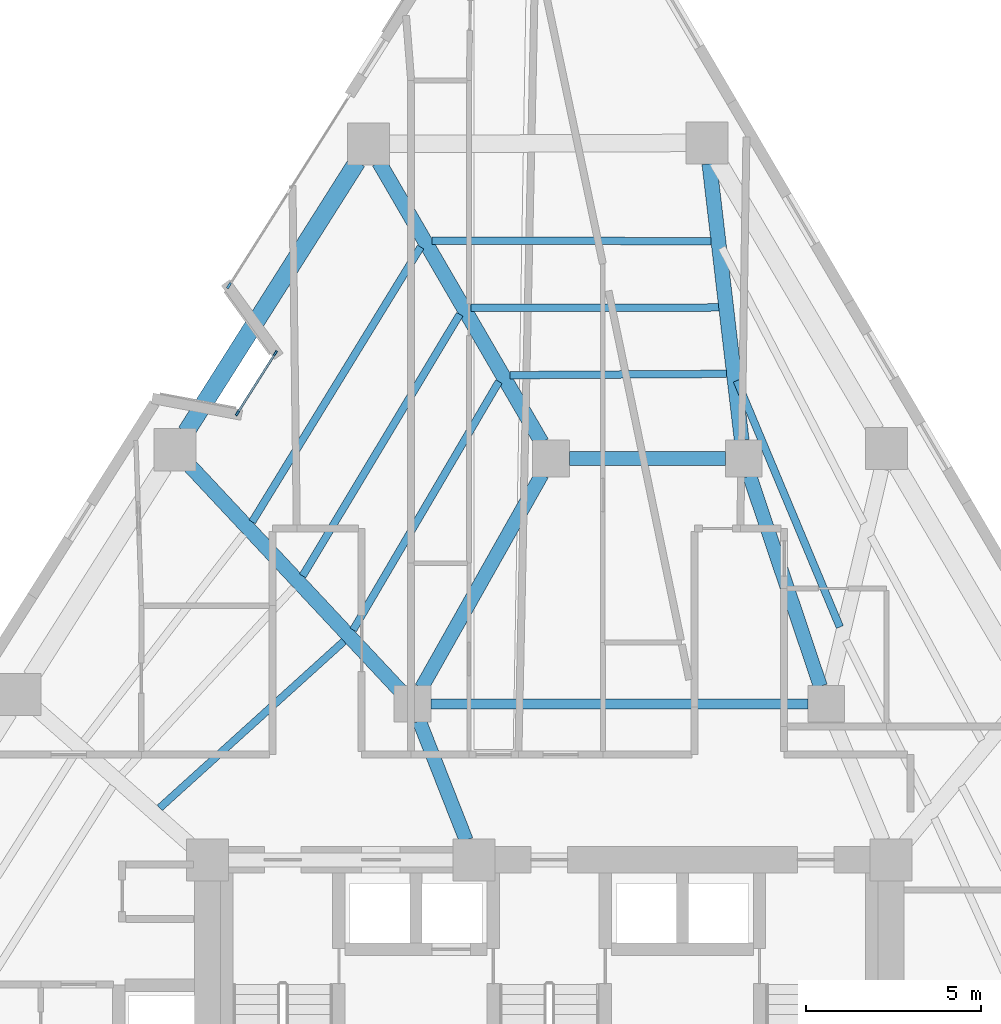
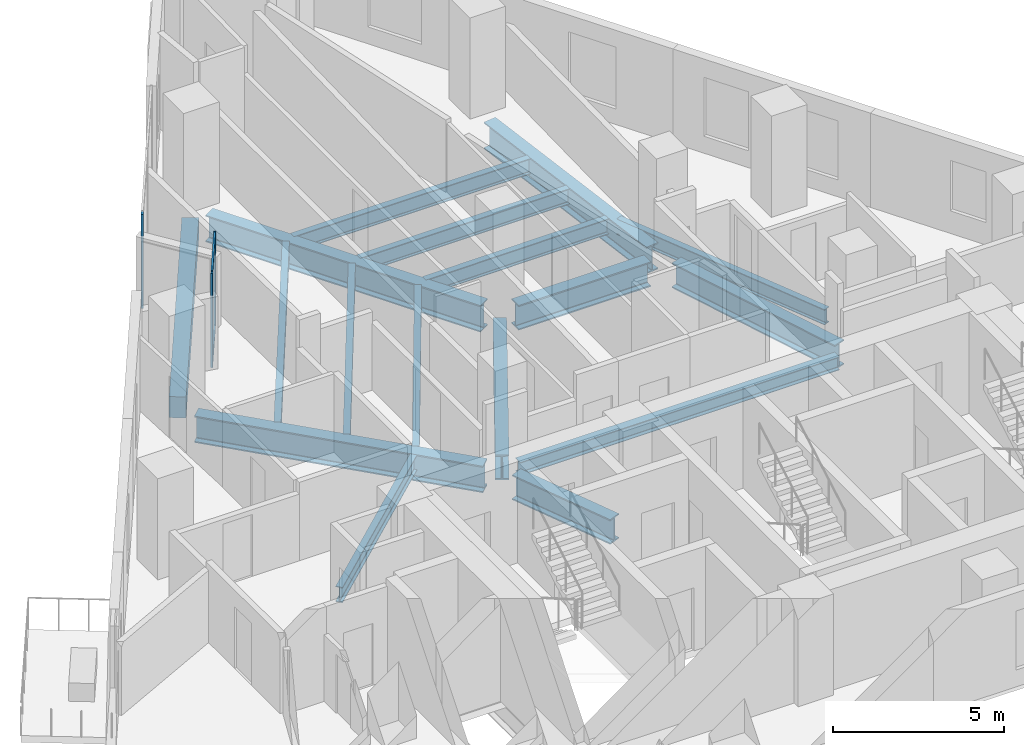
# One storey, part 3 of 12: 17 beams, 5 members, 2 elements without a shape of their own.
"""IFC4 building model written with IfcOpenShell, lengths in metres."""

import ifcopenshell
import ifcopenshell.guid

model = None  # the IFC model being written
_history = None  # IfcOwnerHistory: only IFC2X3 demands one
_inside = {}  # id of a spatial element -> (the spatial element, [elements in it])
_under = {}  # id of a project, library or spatial element -> (it, [spatial elements below it])
_declared = {}  # id of a project -> (the project, [libraries it declares])
_typed = {}  # id of a type object -> (the type object, [elements of that type])
_made_of = {}  # id of a material, layer set ... -> (it, [elements and type objects made of it])


def new_model(schema):
    """Start an empty IFC model of exactly this schema.

    Asked for "IFC4X3", IfcOpenShell would pick the latest addendum, in which some entities
    have other attributes; the version numbers below select the first issue.
    IFC2X3 requires an IfcOwnerHistory on every rooted entity: one is made here for all.
    """
    global model, _history
    if schema == "IFC4X3":
        model = ifcopenshell.file(schema_version=(4, 3, 0, 0))
    else:
        model = ifcopenshell.file(schema=schema)
    _inside.clear()
    _under.clear()
    _declared.clear()
    _typed.clear()
    _made_of.clear()
    _history = None
    if model.schema == "IFC2X3":
        org = make("IfcOrganization", Name="unknown")
        user = make(
            "IfcPersonAndOrganization",
            ThePerson=make("IfcPerson", FamilyName="unknown"),
            TheOrganization=org,
        )
        app = make(
            "IfcApplication",
            ApplicationDeveloper=org,
            Version="unknown",
            ApplicationFullName="unknown",
            ApplicationIdentifier="unknown",
        )
        _history = make(
            "IfcOwnerHistory",
            OwningUser=user,
            OwningApplication=app,
            ChangeAction="ADDED",
            CreationDate=0,
        )
    return model


def make(cls, **values):
    """One entity of the class cls with the attributes given. An attribute that is None is left unset."""
    return model.create_entity(
        cls, **{name: value for name, value in values.items() if value is not None}
    )


def rooted(cls, **values):
    """An entity with a GlobalId (a new one), such as an element, a storey or a relation."""
    return make(cls, GlobalId=ifcopenshell.guid.new(), OwnerHistory=_history, **values)


def si_unit(unit_type, name, prefix=None):
    """IfcSIUnit, for example si_unit("LENGTHUNIT", "METRE", prefix="MILLI")."""
    return make("IfcSIUnit", UnitType=unit_type, Prefix=prefix, Name=name)


def assignment(units):
    """IfcUnitAssignment: the units of a project."""
    return None if units is None else make("IfcUnitAssignment", Units=units)


def point(xyz):
    """IfcCartesianPoint."""
    return None if xyz is None else make("IfcCartesianPoint", Coordinates=xyz)


def direction(xyz):
    """IfcDirection."""
    return None if xyz is None else make("IfcDirection", DirectionRatios=xyz)


def frame(location, z_axis=None, x_axis=None):
    """IfcAxis2Placement3D, a coordinate frame: its origin and axes. An axis left out is left unset."""
    return make(
        "IfcAxis2Placement3D",
        Location=point(location),
        Axis=direction(z_axis),
        RefDirection=direction(x_axis),
    )


def frame_2d(location, x_axis=None):
    """IfcAxis2Placement2D, a coordinate frame in the plane: its origin and x axis."""
    return make(
        "IfcAxis2Placement2D", Location=point(location), RefDirection=direction(x_axis)
    )


def origin():
    """The frame at (0, 0, 0) with its axes left unset."""
    return frame((0.0, 0.0, 0.0))


def origin_2d():
    """The frame at (0, 0) in the plane with its x axis left unset."""
    return frame_2d((0.0, 0.0))


def place(relative_to, where):
    """IfcLocalPlacement: puts the frame where relative to a parent placement (None: the world)."""
    return make(
        "IfcLocalPlacement", PlacementRelTo=relative_to, RelativePlacement=where
    )


def context(
    kind, dimensions, precision=None, world=None, true_north=None, identifier=None
):
    """IfcGeometricRepresentationContext, for example the 3D "Model" context."""
    return make(
        "IfcGeometricRepresentationContext",
        ContextIdentifier=identifier,
        ContextType=kind,
        CoordinateSpaceDimension=dimensions,
        Precision=precision,
        WorldCoordinateSystem=world,
        TrueNorth=true_north,
    )


def subcontext(parent, identifier, kind, view, scale=None):
    """IfcGeometricRepresentationSubContext, for example "Body" below "Model"."""
    return make(
        "IfcGeometricRepresentationSubContext",
        ContextIdentifier=identifier,
        ContextType=kind,
        ParentContext=parent,
        TargetScale=scale,
        TargetView=view,
    )


def project(units=None, contexts=None):
    """IfcProject with its units and contexts."""
    return rooted(
        "IfcProject",
        Name="project",
        RepresentationContexts=contexts,
        UnitsInContext=assignment(units),
    )


def spatial(cls, under=None, at=None, **own):
    """A site, building, storey or space (cls), placed at a placement, below another one or the project."""
    s = rooted(cls, ObjectPlacement=at, **own)
    if under is not None:
        _under.setdefault(under.id(), (under, []))[1].append(s)
    return s


def profile(cls, at=None, kind="AREA", **sizes):
    """A parametric profile (cls). Its sizes go by their IFC names, for example OverallWidth=200.0."""
    return make(cls, ProfileType=kind, Position=at, **sizes)


def rectangle(**sizes):
    """IfcRectangleProfileDef."""
    return profile("IfcRectangleProfileDef", **sizes)


def i_section(**sizes):
    """IfcIShapeProfileDef."""
    return profile("IfcIShapeProfileDef", **sizes)


def extrude(swept, where, along, depth):
    """IfcExtrudedAreaSolid: the profile swept, set in the frame where, extruded along a direction by depth."""
    return make(
        "IfcExtrudedAreaSolid",
        SweptArea=swept,
        Position=where,
        ExtrudedDirection=direction(along),
        Depth=depth,
    )


def shape(context_of_items, identifier, shape_type, items):
    """IfcShapeRepresentation: the items that make up one representation, for example the "Body"."""
    return make(
        "IfcShapeRepresentation",
        ContextOfItems=context_of_items,
        RepresentationIdentifier=identifier,
        RepresentationType=shape_type,
        Items=items,
    )


def material(Name=None, Category=None):
    """IfcMaterial."""
    return make("IfcMaterial", Name=Name, Category=Category)


def layer(
    of_material, thickness, ventilated=None, Name=None, Category=None, Priority=None
):
    """IfcMaterialLayer: one layer of a wall or slab, of a material (None: an air gap)."""
    return make(
        "IfcMaterialLayer",
        Material=of_material,
        LayerThickness=thickness,
        IsVentilated=ventilated,
        Name=Name,
        Category=Category,
        Priority=Priority,
    )


def layer_set(layers, Name=None):
    """IfcMaterialLayerSet."""
    return make("IfcMaterialLayerSet", MaterialLayers=layers, LayerSetName=Name)


def material_profile(
    of_material, cross_section, Name=None, Category=None, Priority=None
):
    """IfcMaterialProfile: a cross section and its material."""
    return make(
        "IfcMaterialProfile",
        Name=Name,
        Material=of_material,
        Profile=cross_section,
        Priority=Priority,
        Category=Category,
    )


def profile_set(profiles, Name=None, composite=None):
    """IfcMaterialProfileSet."""
    return make(
        "IfcMaterialProfileSet",
        Name=Name,
        MaterialProfiles=profiles,
        CompositeProfile=composite,
    )


def made_of(thing, what):
    """Note that an element or type object is made of a material, layer set ...; save() writes the relation."""
    if what is not None:
        _made_of.setdefault(what.id(), (what, []))[1].append(thing)
    return thing


def type_object(cls, material=None, **own):
    """A type object (cls), such as IfcWallType, which elements share."""
    return made_of(rooted(cls, **own), material)


def element(
    cls,
    number,
    at=None,
    inside=None,
    cuts=None,
    type_object=None,
    material=None,
    context=None,
    identifier="Body",
    shape_type=None,
    held_by="IfcProductDefinitionShape",
    body=None,
    shapes=None,
    **own,
):
    """One element of the class cls, such as IfcWall. Its Tag is "e" and its number.

    at: its placement. inside: the storey or other place that contains it. cuts: it is an
    opening in that element (IfcRelVoidsElement). A single representation is given by context,
    identifier, shape_type and body (its items); several are given by shapes. held_by: the class
    of the entity that holds the representations. save() writes the other relations.
    """
    e = rooted(cls, Tag="e%d" % number, ObjectPlacement=at, **own)
    if body is not None:
        shapes = [shape(context, identifier, shape_type, body)]
    if shapes is not None:
        e.Representation = make(held_by, Representations=shapes)
    if inside is not None:
        _inside.setdefault(inside.id(), (inside, []))[1].append(e)
    if cuts is not None:
        rooted(
            "IfcRelVoidsElement", RelatingBuildingElement=cuts, RelatedOpeningElement=e
        )
    if type_object is not None:
        _typed.setdefault(type_object.id(), (type_object, []))[1].append(e)
    return made_of(e, material)


def aggregate(whole, parts):
    """IfcRelAggregates: a whole, such as a stair, and the parts it consists of."""
    return rooted("IfcRelAggregates", RelatingObject=whole, RelatedObjects=parts)


def save(model, path):
    """Write the relations noted so far, then the file.

    IfcRelAggregates (storeys below a building ...), IfcRelContainedInSpatialStructure (elements
    in a storey), IfcRelDefinesByType, IfcRelAssociatesMaterial and IfcRelDeclares: one each for
    every whole, place, type object, material and project.
    """
    for whole, parts in _under.values():
        aggregate(whole, parts)
    for where, things in _inside.values():
        rooted(
            "IfcRelContainedInSpatialStructure",
            RelatedElements=things,
            RelatingStructure=where,
        )
    for kind, things in _typed.values():
        rooted("IfcRelDefinesByType", RelatedObjects=things, RelatingType=kind)
    for what, things in _made_of.values():
        rooted("IfcRelAssociatesMaterial", RelatedObjects=things, RelatingMaterial=what)
    for by, libraries in _declared.values():
        rooted("IfcRelDeclares", RelatingContext=by, RelatedDefinitions=libraries)
    model.write(path)


model = new_model("IFC4")

# Units and contexts
model_context = context("Model", 3, precision=1e-05, world=origin(), true_north=direction((0.0, 1.0)))
body_context = subcontext(model_context, "Body", "Model", "MODEL_VIEW")
ifc_project = project(units=[si_unit("LENGTHUNIT", "METRE"), si_unit("AREAUNIT", "SQUARE_METRE"), si_unit("VOLUMEUNIT", "CUBIC_METRE"), si_unit("PLANEANGLEUNIT", "RADIAN"), si_unit("MASSUNIT", "GRAM", prefix="KILO")], contexts=[model_context])

# Site, building, storey
site_placement = place(None, origin())
site = spatial("IfcSite", under=ifc_project, at=site_placement, CompositionType="ELEMENT")
building_placement = place(site_placement, origin())
building = spatial("IfcBuilding", under=site, at=building_placement, Name="Almagre Mirador Tower", CompositionType="ELEMENT")
storey_placement = place(building_placement, frame((0.0, 0.0, 121.199951171875)))
storey = spatial("IfcBuildingStorey", under=building, at=storey_placement, Name="L30", CompositionType="ELEMENT", Elevation=121.199951171875)

# Beams
ifc_material_1 = material(Name="Steel ASTM A992 Grade 50", Category="steel")
ifc_material_profile_1 = material_profile(ifc_material_1, i_section(OverallWidth=0.281982421875, OverallDepth=0.467041015625, WebThickness=0.01220703125, FlangeThickness=0.01953125, FilletRadius=0.01611328125, at=origin_2d()), Name="W18X86")
ifc_profile_set_1 = profile_set([ifc_material_profile_1], Name="Steel ASTM A992 Grade 50")
beam_type_1 = type_object("IfcBeamType", Name="BM-BAL-W18X86", PredefinedType="JOIST", material=ifc_profile_set_1)
beam_1_placement = place(storey_placement, frame((33.925048828125, 19.199951171875, -0.4833984375), z_axis=(1.0, 0.0, 0.0), x_axis=(0.0, 1.0, 0.0)))
element("IfcBeam", 1, at=beam_1_placement, inside=storey, type_object=beam_type_1, Name="L30 secondary header beam BB-01", PredefinedType="JOIST", context=body_context, shape_type="SweptSolid", body=[
    extrude(i_section(OverallWidth=0.281982421875, OverallDepth=0.467041015625, WebThickness=0.01220703125, FlangeThickness=0.01953125, FilletRadius=0.01611328125, at=origin_2d()), origin(), (0.0, 0.0, 1.0), 10.75),
])
ifc_material_2 = material(Name="Steel ASTM A992 Grade 50", Category="steel")
ifc_material_profile_2 = material_profile(ifc_material_2, i_section(OverallWidth=0.214111328125, OverallDepth=0.549072265625, WebThickness=0.0146484375, FlangeThickness=0.023681640625, FilletRadius=0.01806640625, at=origin_2d()), Name="W21X93")
ifc_profile_set_2 = profile_set([ifc_material_profile_2], Name="Steel ASTM A992 Grade 50")
beam_type_2 = type_object("IfcBeamType", Name="BM-JST-W21X93", PredefinedType="JOIST", material=ifc_profile_set_2)
beam_2_placement = place(storey_placement, frame((45.589111328125, 21.390380859375, -0.5244140625), z_axis=(-0.385893914422, 0.922543162574, 0.0), x_axis=(-0.922543162574, -0.385893914422, 0.0)))
element("IfcBeam", 2, at=beam_2_placement, inside=storey, type_object=beam_type_2, Name="L30 secondary floor joist PC07-PC08.3", PredefinedType="JOIST", context=body_context, shape_type="SweptSolid", body=[
    extrude(i_section(OverallWidth=0.214111328125, OverallDepth=0.549072265625, WebThickness=0.0146484375, FlangeThickness=0.023681640625, FilletRadius=0.01806640625, at=origin_2d()), origin(), (0.0, 0.0, 1.0), 7.617919921875),
])
beam_3_placement = place(storey_placement, frame((41.913330078125, 32.397216796875, -0.5244140625), z_axis=(-0.999998960599, 0.001441804747, 0.0), x_axis=(-0.001441804747, -0.999998960599, 0.0)))
element("IfcBeam", 3, at=beam_3_placement, inside=storey, type_object=beam_type_2, Name="L30 secondary floor joist PC08-PC09.1", PredefinedType="JOIST", context=body_context, shape_type="SweptSolid", body=[
    extrude(i_section(OverallWidth=0.214111328125, OverallDepth=0.549072265625, WebThickness=0.0146484375, FlangeThickness=0.023681640625, FilletRadius=0.01806640625, at=origin_2d()), origin(), (0.0, 0.0, 1.0), 7.95849609375),
])
beam_4_placement = place(storey_placement, frame((42.134765625, 30.504638671875, -0.5244140625), z_axis=(-0.99999819421, -0.00190041466, 0.0), x_axis=(0.00190041466, -0.99999819421, 0.0)))
element("IfcBeam", 4, at=beam_4_placement, inside=storey, type_object=beam_type_2, Name="L30 secondary floor joist PC08-PC09.2", PredefinedType="JOIST", context=body_context, shape_type="SweptSolid", body=[
    extrude(i_section(OverallWidth=0.214111328125, OverallDepth=0.549072265625, WebThickness=0.0146484375, FlangeThickness=0.023681640625, FilletRadius=0.01806640625, at=origin_2d()), origin(), (0.0, 0.0, 1.0), 7.065673828125),
])
beam_5_placement = place(storey_placement, frame((42.356201171875, 28.61181640625, -0.5244140625), z_axis=(-0.999980965144, -0.00617003641, 0.0), x_axis=(0.00617003641, -0.999980965144, 0.0)))
element("IfcBeam", 5, at=beam_5_placement, inside=storey, type_object=beam_type_2, Name="L30 secondary floor joist PC08-PC09.3", PredefinedType="JOIST", context=body_context, shape_type="SweptSolid", body=[
    extrude(i_section(OverallWidth=0.214111328125, OverallDepth=0.549072265625, WebThickness=0.0146484375, FlangeThickness=0.023681640625, FilletRadius=0.01806640625, at=origin_2d()), origin(), (0.0, 0.0, 1.0), 6.172607421875),
])
beam_6_placement = place(storey_placement, frame((33.6328125, 32.228759765625, -0.5244140625), z_axis=(-0.522787398252, -0.852463099629, 0.0), x_axis=(0.852463099629, -0.522787398252, 0.0)))
element("IfcBeam", 6, at=beam_6_placement, inside=storey, type_object=beam_type_2, Name="L30 secondary floor joist PC09-PC10.1", PredefinedType="JOIST", context=body_context, shape_type="SweptSolid", body=[
    extrude(i_section(OverallWidth=0.214111328125, OverallDepth=0.549072265625, WebThickness=0.0146484375, FlangeThickness=0.023681640625, FilletRadius=0.01806640625, at=origin_2d()), origin(), (0.0, 0.0, 1.0), 9.196044921875),
])
beam_7_placement = place(storey_placement, frame((34.748779296875, 30.309326171875, -0.5244140625), z_axis=(-0.515031881697, -0.857171021929, 0.0), x_axis=(0.857171021929, -0.515031881697, 0.0)))
element("IfcBeam", 7, at=beam_7_placement, inside=storey, type_object=beam_type_2, Name="L30 secondary floor joist PC09-PC10.2", PredefinedType="JOIST", context=body_context, shape_type="SweptSolid", body=[
    extrude(i_section(OverallWidth=0.214111328125, OverallDepth=0.549072265625, WebThickness=0.0146484375, FlangeThickness=0.023681640625, FilletRadius=0.01806640625, at=origin_2d()), origin(), (0.0, 0.0, 1.0), 8.7041015625),
])
beam_8_placement = place(storey_placement, frame((35.864990234375, 28.389892578125, -0.5244140625), z_axis=(-0.506354843964, -0.862325212431, 0.0), x_axis=(0.862325212431, -0.506354843964, 0.0)))
element("IfcBeam", 8, at=beam_8_placement, inside=storey, type_object=beam_type_2, Name="L30 secondary floor joist PC09-PC10.3", PredefinedType="JOIST", context=body_context, shape_type="SweptSolid", body=[
    extrude(i_section(OverallWidth=0.214111328125, OverallDepth=0.549072265625, WebThickness=0.0146484375, FlangeThickness=0.023681640625, FilletRadius=0.01806640625, at=origin_2d()), origin(), (0.0, 0.0, 1.0), 8.212890625),
])
beam_9_placement = place(storey_placement, frame((31.4423828125, 20.9833984375, -0.5244140625), z_axis=(-0.74150556393, -0.670946718199, 0.0), x_axis=(0.670946718199, -0.74150556393, 0.0)))
element("IfcBeam", 9, at=beam_9_placement, inside=storey, type_object=beam_type_2, Name="L30 secondary floor joist PC10-PC11.3", PredefinedType="JOIST", context=body_context, shape_type="SweptSolid", body=[
    extrude(i_section(OverallWidth=0.214111328125, OverallDepth=0.549072265625, WebThickness=0.0146484375, FlangeThickness=0.023681640625, FilletRadius=0.01806640625, at=origin_2d()), origin(), (0.0, 0.0, 1.0), 7.082763671875),
])
ifc_material_3 = material(Name="Precast concrete C50/60", Category="concrete")
ifc_material_profile_3 = material_profile(ifc_material_3, rectangle(XDim=0.5, YDim=0.75, at=origin_2d()), Name="RC500X750")
ifc_profile_set_3 = profile_set([ifc_material_profile_3], Name="Precast concrete C50/60")
beam_type_3 = type_object("IfcBeamType", Name="BM-SPN-RC500X750", PredefinedType="SPANDREL", material=ifc_profile_set_3)
beam_10_placement = place(storey_placement, frame((31.821044921875, 34.658935546875, -0.625), z_axis=(-0.534869929659, -0.844934410677, 0.0), x_axis=(0.844934410677, -0.534869929659, 0.0)))
element("IfcBeam", 10, at=beam_10_placement, inside=storey, type_object=beam_type_3, Name="L30 perimeter spandrel beam PC09-PC10", PredefinedType="SPANDREL", context=body_context, shape_type="SweptSolid", body=[
    extrude(rectangle(XDim=0.5, YDim=0.75, at=origin_2d()), origin(), (0.0, 0.0, 1.0), 9.120361328125),
])
ifc_material_4 = material(Name="Steel ASTM A992 Grade 50", Category="steel")
ifc_material_profile_4 = material_profile(ifc_material_4, i_section(OverallWidth=0.404052734375, OverallDepth=0.884033203125, WebThickness=0.0244140625, FlangeThickness=0.0439453125, FilletRadius=0.02490234375, at=origin_2d()), Name="W33X291")
ifc_profile_set_4 = profile_set([ifc_material_profile_4], Name="Steel ASTM A992 Grade 50")
beam_type_4 = type_object("IfcBeamType", Name="BM-STL-W33X291", PredefinedType="BEAM", material=ifc_profile_set_4)
beam_11_placement = place(storey_placement, frame((37.875, 26.199951171875, -0.69189453125), z_axis=(1.0, 0.0, 0.0), x_axis=(0.0, 1.0, 0.0)))
element("IfcBeam", 11, at=beam_11_placement, inside=storey, type_object=beam_type_4, Name="L30 core tie girder MC7-MC6", PredefinedType="BEAM", context=body_context, shape_type="SweptSolid", body=[
    extrude(i_section(OverallWidth=0.404052734375, OverallDepth=0.884033203125, WebThickness=0.0244140625, FlangeThickness=0.0439453125, FilletRadius=0.02490234375, at=origin_2d()), origin(), (0.0, 0.0, 1.0), 4.449951171875),
])
beam_12_placement = place(storey_placement, frame((43.01708984375, 25.702392578125, -0.69189453125), z_axis=(0.318262189587, -0.948002731367, 0.0), x_axis=(0.948002731367, 0.318262189587, 0.0)))
element("IfcBeam", 12, at=beam_12_placement, inside=storey, type_object=beam_type_4, Name="L30 core tie girder MC6-MC5", PredefinedType="BEAM", context=body_context, shape_type="SweptSolid", body=[
    extrude(i_section(OverallWidth=0.404052734375, OverallDepth=0.884033203125, WebThickness=0.0244140625, FlangeThickness=0.0439453125, FilletRadius=0.02490234375, at=origin_2d()), origin(), (0.0, 0.0, 1.0), 6.333984375),
])
beam_13_placement = place(storey_placement, frame((37.092041015625, 25.742919921875, -0.69189453125), z_axis=(-0.491443510044, -0.870909453638, 0.0), x_axis=(0.870909453638, -0.491443510044, 0.0)))
element("IfcBeam", 13, at=beam_13_placement, inside=storey, type_object=beam_type_4, Name="L30 core tie girder MC7-MC8", PredefinedType="BEAM", context=body_context, shape_type="SweptSolid", body=[
    extrude(i_section(OverallWidth=0.404052734375, OverallDepth=0.884033203125, WebThickness=0.0244140625, FlangeThickness=0.0439453125, FilletRadius=0.02490234375, at=origin_2d()), origin(), (0.0, 0.0, 1.0), 6.98779296875),
])
beam_14_placement = place(storey_placement, frame((33.592041015625, 18.71142578125, -0.69189453125), z_axis=(0.365997304164, -0.930615910752, 0.0), x_axis=(0.930615910752, 0.365997304164, 0.0)))
element("IfcBeam", 14, at=beam_14_placement, inside=storey, type_object=beam_type_4, Name="L30 core tie girder MC8-CC5", PredefinedType="BEAM", context=body_context, shape_type="SweptSolid", body=[
    extrude(i_section(OverallWidth=0.404052734375, OverallDepth=0.884033203125, WebThickness=0.0244140625, FlangeThickness=0.0439453125, FilletRadius=0.02490234375, at=origin_2d()), origin(), (0.0, 0.0, 1.0), 3.65673828125),
])
ifc_material_5 = material(Name="Steel ASTM A992 Grade 50", Category="steel")
ifc_material_profile_5 = material_profile(ifc_material_5, i_section(OverallWidth=0.423095703125, OverallDepth=0.947998046875, WebThickness=0.02392578125, FlangeThickness=0.042724609375, FilletRadius=0.028076171875, at=origin_2d()), Name="W36X302")
ifc_profile_set_5 = profile_set([ifc_material_profile_5], Name="Steel ASTM A992 Grade 50")
beam_type_5 = type_object("IfcBeamType", Name="BM-STL-W36X302", PredefinedType="BEAM", material=ifc_profile_set_5)
beam_15_placement = place(storey_placement, frame((41.86669921875, 34.60400390625, -0.723876953125), z_axis=(0.116220098543, -0.993223483761, 0.0), x_axis=(0.993223483761, 0.116220098543, 0.0)))
element("IfcBeam", 15, at=beam_15_placement, inside=storey, type_object=beam_type_5, Name="L30 radial floor girder PC08-MC6", PredefinedType="BEAM", context=body_context, shape_type="SweptSolid", body=[
    extrude(i_section(OverallWidth=0.423095703125, OverallDepth=0.947998046875, WebThickness=0.02392578125, FlangeThickness=0.042724609375, FilletRadius=0.028076171875, at=origin_2d()), origin(), (0.0, 0.0, 1.0), 7.936279296875),
])
beam_16_placement = place(storey_placement, frame((32.443359375, 34.647216796875, -0.723876953125), z_axis=(0.502267404593, -0.864712353493, 0.0), x_axis=(0.864712353493, 0.502267404593, 0.0)))
element("IfcBeam", 16, at=beam_16_placement, inside=storey, type_object=beam_type_5, Name="L30 radial floor girder PC09-MC7", PredefinedType="BEAM", context=body_context, shape_type="SweptSolid", body=[
    extrude(i_section(OverallWidth=0.423095703125, OverallDepth=0.947998046875, WebThickness=0.02392578125, FlangeThickness=0.042724609375, FilletRadius=0.028076171875, at=origin_2d()), origin(), (0.0, 0.0, 1.0), 9.24365234375),
])
beam_17_placement = place(storey_placement, frame((27.031982421875, 26.0078125, -0.723876953125), z_axis=(0.683137553651, -0.73028972524, 0.0), x_axis=(0.73028972524, 0.683137553651, 0.0)))
element("IfcBeam", 17, at=beam_17_placement, inside=storey, type_object=beam_type_5, Name="L30 radial floor girder PC10-MC8", PredefinedType="BEAM", context=body_context, shape_type="SweptSolid", body=[
    extrude(i_section(OverallWidth=0.423095703125, OverallDepth=0.947998046875, WebThickness=0.02392578125, FlangeThickness=0.042724609375, FilletRadius=0.028076171875, at=origin_2d()), origin(), (0.0, 0.0, 1.0), 8.796875),
])

# Curtain wall, members
ifc_material_6 = material(Name="Black anodized aluminium", Category="aluminium")
ifc_layer_1 = layer(ifc_material_6, 0.169921875)
ifc_layer_set_1 = layer_set([ifc_layer_1], Name="Black anodized aluminium")
curtain_wall_type_1 = type_object("IfcCurtainWallType", Name="CW-CRS-SYS", PredefinedType="NOTDEFINED", material=ifc_layer_set_1)
curtain_wall_1_placement = place(storey_placement, origin())
curtain_wall_1 = element("IfcCurtainWall", 18, at=curtain_wall_1_placement, inside=storey, type_object=curtain_wall_type_1, Name="L30 vertical crease curtain wall 01", PredefinedType="NOTDEFINED")
ifc_material_7 = material(Name="Black anodized aluminium", Category="aluminium")
ifc_material_profile_6 = material_profile(ifc_material_7, rectangle(XDim=0.06005859375, YDim=0.14990234375, at=origin_2d()), Name="CWM60X150")
ifc_profile_set_6 = profile_set([ifc_material_profile_6], Name="Black anodized aluminium")
member_type_1 = type_object("IfcMemberType", Name="MBR-CWM60X150", PredefinedType="MULLION", material=ifc_profile_set_6)
member_1_placement = place(storey_placement, frame((28.405029296875, 27.4873046875, 0.0), z_axis=(0.0, 0.0, 1.0), x_axis=(-0.844783015029, 0.535109014612, 0.0)))
member_1 = element("IfcMember", 19, at=member_1_placement, type_object=member_type_1, Name="CW-4 mullion 1", PredefinedType="MULLION", context=body_context, shape_type="SweptSolid", body=[
    extrude(rectangle(XDim=0.06005859375, YDim=0.14990234375, at=origin_2d()), origin(), (0.0, 0.0, 1.0), 3.35009765625),
])
member_2_placement = place(storey_placement, frame((29.490966796875, 29.20166015625, 0.0), z_axis=(0.0, 0.0, 1.0), x_axis=(-0.844783015029, 0.535109014612, 0.0)))
member_2 = element("IfcMember", 20, at=member_2_placement, type_object=member_type_1, Name="CW-4 mullion 2", PredefinedType="MULLION", context=body_context, shape_type="SweptSolid", body=[
    extrude(rectangle(XDim=0.06005859375, YDim=0.14990234375, at=origin_2d()), origin(), (0.0, 0.0, 1.0), 3.35009765625),
])

# Curtain wall, member
ifc_material_8 = material(Name="Black anodized aluminium", Category="aluminium")
ifc_layer_2 = layer(ifc_material_8, 0.199951171875)
ifc_layer_set_2 = layer_set([ifc_layer_2], Name="Black anodized aluminium")
curtain_wall_type_2 = type_object("IfcCurtainWallType", Name="CW-RES-H-SYS", PredefinedType="NOTDEFINED", material=ifc_layer_set_2)
curtain_wall_2_placement = place(storey_placement, origin())
curtain_wall_2 = element("IfcCurtainWall", 21, at=curtain_wall_2_placement, inside=storey, type_object=curtain_wall_type_2, Name="L30 curtain wall run 02", PredefinedType="NOTDEFINED")
ifc_material_9 = material(Name="Black anodized aluminium", Category="aluminium")
ifc_material_profile_7 = material_profile(ifc_material_9, rectangle(XDim=0.06494140625, YDim=0.179931640625, at=origin_2d()), Name="CWM65X180")
ifc_profile_set_7 = profile_set([ifc_material_profile_7], Name="Black anodized aluminium")
member_type_2 = type_object("IfcMemberType", Name="MBR-CWM65X180", PredefinedType="MULLION", material=ifc_profile_set_7)
member_3_placement = place(storey_placement, frame((28.165283203125, 31.12744140625, 0.0), z_axis=(0.0, 0.0, 1.0), x_axis=(-0.844923983593, 0.534886400976, 0.0)))
member_3 = element("IfcMember", 22, at=member_3_placement, type_object=member_type_2, Name="CW-3 mullion 1", PredefinedType="MULLION", context=body_context, shape_type="SweptSolid", body=[
    extrude(rectangle(XDim=0.06494140625, YDim=0.179931640625, at=origin_2d()), origin(), (0.0, 0.0, 1.0), 3.35009765625),
])
aggregate(curtain_wall_2, [member_3])

# Member
ifc_material_10 = material(Name="Black anodized aluminium", Category="aluminium")
ifc_material_profile_8 = material_profile(ifc_material_10, rectangle(XDim=0.06005859375, YDim=0.1298828125, at=origin_2d()), Name="CWT60X130")
ifc_profile_set_8 = profile_set([ifc_material_profile_8], Name="Black anodized aluminium")
member_type_3 = type_object("IfcMemberType", Name="MBR-CWT60X130", PredefinedType="USERDEFINED", material=ifc_profile_set_8)
member_4_placement = place(storey_placement, frame((28.421142578125, 27.5126953125, 0.030029296875), z_axis=(0.535093374107, 0.844792921956, 0.0), x_axis=(-0.844792921956, 0.535093374107, 0.0)))
member_4 = element("IfcMember", 23, at=member_4_placement, type_object=member_type_3, Name="CW-4 transom 1.1", ObjectType="TRANSOM", PredefinedType="USERDEFINED", context=body_context, shape_type="SweptSolid", body=[
    extrude(rectangle(XDim=0.06005859375, YDim=0.1298828125, at=origin_2d()), origin(), (0.0, 0.0, 1.0), 1.96923828125),
])

member_5_placement = place(storey_placement, frame((28.421142578125, 27.5126953125, 3.320068359375), z_axis=(0.535093374107, 0.844792921956, 0.0), x_axis=(-0.844792921956, 0.535093374107, 0.0)))
member_5 = element("IfcMember", 24, at=member_5_placement, type_object=member_type_3, Name="CW-4 transom 1.2", ObjectType="TRANSOM", PredefinedType="USERDEFINED", context=body_context, shape_type="SweptSolid", body=[
    extrude(rectangle(XDim=0.06005859375, YDim=0.1298828125, at=origin_2d()), origin(), (0.0, 0.0, 1.0), 1.96923828125),
])

aggregate(curtain_wall_1, [member_1, member_2, member_4, member_5])

save(model, "model.ifc")
